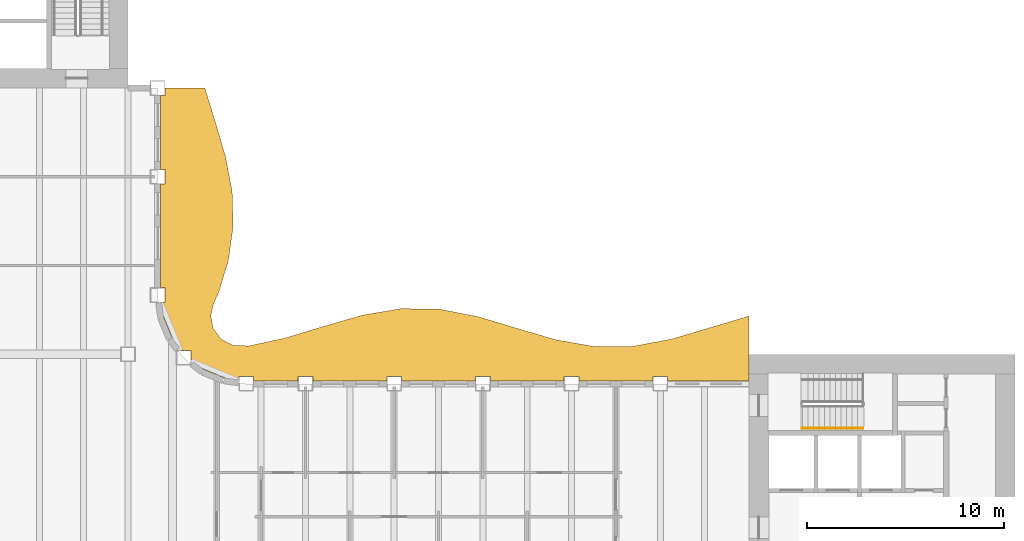
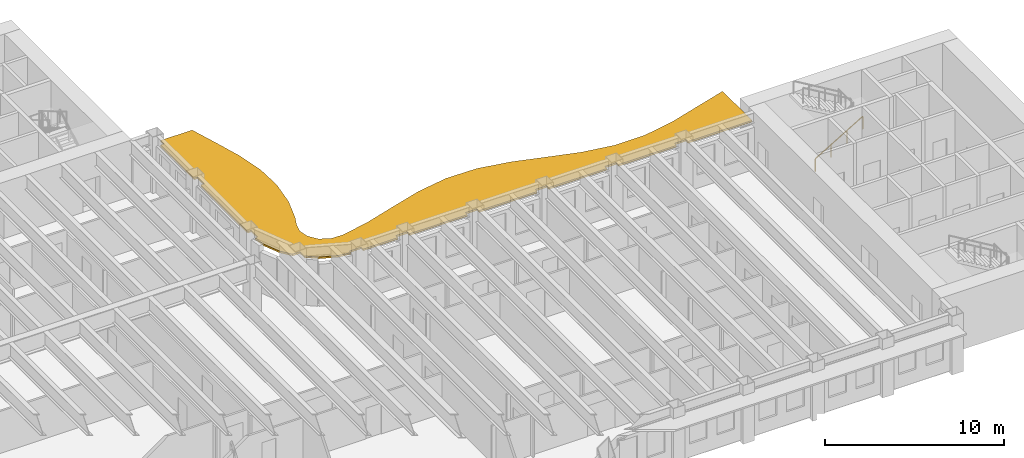
# One storey, part 14 of 16: 1 railing, 1 shading device.
"""IFC4 building model written with IfcOpenShell, lengths in metres."""

import ifcopenshell
import ifcopenshell.guid

model = None  # the IFC model being written
_history = None  # IfcOwnerHistory: only IFC2X3 demands one
_inside = {}  # id of a spatial element -> (the spatial element, [elements in it])
_under = {}  # id of a project, library or spatial element -> (it, [spatial elements below it])
_declared = {}  # id of a project -> (the project, [libraries it declares])
_typed = {}  # id of a type object -> (the type object, [elements of that type])
_made_of = {}  # id of a material, layer set ... -> (it, [elements and type objects made of it])


def new_model(schema):
    """Start an empty IFC model of exactly this schema.

    Asked for "IFC4X3", IfcOpenShell would pick the latest addendum, in which some entities
    have other attributes; the version numbers below select the first issue.
    IFC2X3 requires an IfcOwnerHistory on every rooted entity: one is made here for all.
    """
    global model, _history
    if schema == "IFC4X3":
        model = ifcopenshell.file(schema_version=(4, 3, 0, 0))
    else:
        model = ifcopenshell.file(schema=schema)
    _inside.clear()
    _under.clear()
    _declared.clear()
    _typed.clear()
    _made_of.clear()
    _history = None
    if model.schema == "IFC2X3":
        org = make("IfcOrganization", Name="unknown")
        user = make(
            "IfcPersonAndOrganization",
            ThePerson=make("IfcPerson", FamilyName="unknown"),
            TheOrganization=org,
        )
        app = make(
            "IfcApplication",
            ApplicationDeveloper=org,
            Version="unknown",
            ApplicationFullName="unknown",
            ApplicationIdentifier="unknown",
        )
        _history = make(
            "IfcOwnerHistory",
            OwningUser=user,
            OwningApplication=app,
            ChangeAction="ADDED",
            CreationDate=0,
        )
    return model


def make(cls, **values):
    """One entity of the class cls with the attributes given. An attribute that is None is left unset."""
    return model.create_entity(
        cls, **{name: value for name, value in values.items() if value is not None}
    )


def rooted(cls, **values):
    """An entity with a GlobalId (a new one), such as an element, a storey or a relation."""
    return make(cls, GlobalId=ifcopenshell.guid.new(), OwnerHistory=_history, **values)


def si_unit(unit_type, name, prefix=None):
    """IfcSIUnit, for example si_unit("LENGTHUNIT", "METRE", prefix="MILLI")."""
    return make("IfcSIUnit", UnitType=unit_type, Prefix=prefix, Name=name)


def assignment(units):
    """IfcUnitAssignment: the units of a project."""
    return None if units is None else make("IfcUnitAssignment", Units=units)


def point(xyz):
    """IfcCartesianPoint."""
    return None if xyz is None else make("IfcCartesianPoint", Coordinates=xyz)


def direction(xyz):
    """IfcDirection."""
    return None if xyz is None else make("IfcDirection", DirectionRatios=xyz)


def frame(location, z_axis=None, x_axis=None):
    """IfcAxis2Placement3D, a coordinate frame: its origin and axes. An axis left out is left unset."""
    return make(
        "IfcAxis2Placement3D",
        Location=point(location),
        Axis=direction(z_axis),
        RefDirection=direction(x_axis),
    )


def frame_2d(location, x_axis=None):
    """IfcAxis2Placement2D, a coordinate frame in the plane: its origin and x axis."""
    return make(
        "IfcAxis2Placement2D", Location=point(location), RefDirection=direction(x_axis)
    )


def origin():
    """The frame at (0, 0, 0) with its axes left unset."""
    return frame((0.0, 0.0, 0.0))


def origin_2d():
    """The frame at (0, 0) in the plane with its x axis left unset."""
    return frame_2d((0.0, 0.0))


def place(relative_to, where):
    """IfcLocalPlacement: puts the frame where relative to a parent placement (None: the world)."""
    return make(
        "IfcLocalPlacement", PlacementRelTo=relative_to, RelativePlacement=where
    )


def context(
    kind, dimensions, precision=None, world=None, true_north=None, identifier=None
):
    """IfcGeometricRepresentationContext, for example the 3D "Model" context."""
    return make(
        "IfcGeometricRepresentationContext",
        ContextIdentifier=identifier,
        ContextType=kind,
        CoordinateSpaceDimension=dimensions,
        Precision=precision,
        WorldCoordinateSystem=world,
        TrueNorth=true_north,
    )


def subcontext(parent, identifier, kind, view, scale=None):
    """IfcGeometricRepresentationSubContext, for example "Body" below "Model"."""
    return make(
        "IfcGeometricRepresentationSubContext",
        ContextIdentifier=identifier,
        ContextType=kind,
        ParentContext=parent,
        TargetScale=scale,
        TargetView=view,
    )


def project(units=None, contexts=None):
    """IfcProject with its units and contexts."""
    return rooted(
        "IfcProject",
        Name="project",
        RepresentationContexts=contexts,
        UnitsInContext=assignment(units),
    )


def spatial(cls, under=None, at=None, **own):
    """A site, building, storey or space (cls), placed at a placement, below another one or the project."""
    s = rooted(cls, ObjectPlacement=at, **own)
    if under is not None:
        _under.setdefault(under.id(), (under, []))[1].append(s)
    return s


def polyline(points):
    """IfcPolyline through the points."""
    return make("IfcPolyline", Points=[point(p) for p in points])


def profile(cls, at=None, kind="AREA", **sizes):
    """A parametric profile (cls). Its sizes go by their IFC names, for example OverallWidth=200.0."""
    return make(cls, ProfileType=kind, Position=at, **sizes)


def rectangle(**sizes):
    """IfcRectangleProfileDef."""
    return profile("IfcRectangleProfileDef", **sizes)


def outline(outer, holes=None, kind="AREA"):
    """IfcArbitraryClosedProfileDef: a profile drawn as a closed curve; with holes, ...WithVoids."""
    if holes is None:
        return make("IfcArbitraryClosedProfileDef", ProfileType=kind, OuterCurve=outer)
    return make(
        "IfcArbitraryProfileDefWithVoids",
        ProfileType=kind,
        OuterCurve=outer,
        InnerCurves=holes,
    )


def extrude(swept, where, along, depth):
    """IfcExtrudedAreaSolid: the profile swept, set in the frame where, extruded along a direction by depth."""
    return make(
        "IfcExtrudedAreaSolid",
        SweptArea=swept,
        Position=where,
        ExtrudedDirection=direction(along),
        Depth=depth,
    )


def shape(context_of_items, identifier, shape_type, items):
    """IfcShapeRepresentation: the items that make up one representation, for example the "Body"."""
    return make(
        "IfcShapeRepresentation",
        ContextOfItems=context_of_items,
        RepresentationIdentifier=identifier,
        RepresentationType=shape_type,
        Items=items,
    )


def material(Name=None, Category=None):
    """IfcMaterial."""
    return make("IfcMaterial", Name=Name, Category=Category)


def layer(
    of_material, thickness, ventilated=None, Name=None, Category=None, Priority=None
):
    """IfcMaterialLayer: one layer of a wall or slab, of a material (None: an air gap)."""
    return make(
        "IfcMaterialLayer",
        Material=of_material,
        LayerThickness=thickness,
        IsVentilated=ventilated,
        Name=Name,
        Category=Category,
        Priority=Priority,
    )


def layer_set(layers, Name=None):
    """IfcMaterialLayerSet."""
    return make("IfcMaterialLayerSet", MaterialLayers=layers, LayerSetName=Name)


def made_of(thing, what):
    """Note that an element or type object is made of a material, layer set ...; save() writes the relation."""
    if what is not None:
        _made_of.setdefault(what.id(), (what, []))[1].append(thing)
    return thing


def type_object(cls, material=None, **own):
    """A type object (cls), such as IfcWallType, which elements share."""
    return made_of(rooted(cls, **own), material)


def element(
    cls,
    number,
    at=None,
    inside=None,
    cuts=None,
    type_object=None,
    material=None,
    context=None,
    identifier="Body",
    shape_type=None,
    held_by="IfcProductDefinitionShape",
    body=None,
    shapes=None,
    **own,
):
    """One element of the class cls, such as IfcWall. Its Tag is "e" and its number.

    at: its placement. inside: the storey or other place that contains it. cuts: it is an
    opening in that element (IfcRelVoidsElement). A single representation is given by context,
    identifier, shape_type and body (its items); several are given by shapes. held_by: the class
    of the entity that holds the representations. save() writes the other relations.
    """
    e = rooted(cls, Tag="e%d" % number, ObjectPlacement=at, **own)
    if body is not None:
        shapes = [shape(context, identifier, shape_type, body)]
    if shapes is not None:
        e.Representation = make(held_by, Representations=shapes)
    if inside is not None:
        _inside.setdefault(inside.id(), (inside, []))[1].append(e)
    if cuts is not None:
        rooted(
            "IfcRelVoidsElement", RelatingBuildingElement=cuts, RelatedOpeningElement=e
        )
    if type_object is not None:
        _typed.setdefault(type_object.id(), (type_object, []))[1].append(e)
    return made_of(e, material)


def aggregate(whole, parts):
    """IfcRelAggregates: a whole, such as a stair, and the parts it consists of."""
    return rooted("IfcRelAggregates", RelatingObject=whole, RelatedObjects=parts)


def save(model, path):
    """Write the relations noted so far, then the file.

    IfcRelAggregates (storeys below a building ...), IfcRelContainedInSpatialStructure (elements
    in a storey), IfcRelDefinesByType, IfcRelAssociatesMaterial and IfcRelDeclares: one each for
    every whole, place, type object, material and project.
    """
    for whole, parts in _under.values():
        aggregate(whole, parts)
    for where, things in _inside.values():
        rooted(
            "IfcRelContainedInSpatialStructure",
            RelatedElements=things,
            RelatingStructure=where,
        )
    for kind, things in _typed.values():
        rooted("IfcRelDefinesByType", RelatedObjects=things, RelatingType=kind)
    for what, things in _made_of.values():
        rooted("IfcRelAssociatesMaterial", RelatedObjects=things, RelatingMaterial=what)
    for by, libraries in _declared.values():
        rooted("IfcRelDeclares", RelatingContext=by, RelatedDefinitions=libraries)
    model.write(path)


model = new_model("IFC4")

# Units and contexts
model_context = context("Model", 3, precision=1e-05, world=origin(), true_north=direction((0.0, 1.0)))
body_context = subcontext(model_context, "Body", "Model", "MODEL_VIEW")
ifc_project = project(units=[si_unit("LENGTHUNIT", "METRE"), si_unit("AREAUNIT", "SQUARE_METRE"), si_unit("VOLUMEUNIT", "CUBIC_METRE"), si_unit("PLANEANGLEUNIT", "RADIAN"), si_unit("MASSUNIT", "GRAM", prefix="KILO")], contexts=[model_context])

# Site, building, storey
site_placement = place(None, origin())
site = spatial("IfcSite", under=ifc_project, at=site_placement, CompositionType="ELEMENT")
building_placement = place(site_placement, origin())
building = spatial("IfcBuilding", under=site, at=building_placement, Name="Sennacour Bend Tower", CompositionType="ELEMENT")
storey_placement = place(building_placement, frame((0.0, 0.0, 227.0)))
storey = spatial("IfcBuildingStorey", under=building, at=storey_placement, Name="L52", CompositionType="ELEMENT", Elevation=227.0)

# Railing
ifc_material_1 = material(Name="Stainless steel", Category="steel")
railing_type = type_object("IfcRailingType", Name="RL-HANDRAIL-900", PredefinedType="HANDRAIL", material=ifc_material_1)
railing_placement = place(storey_placement, frame((56.699951171875, 18.75, 0.166748046875)))
element("IfcRailing", 1, at=railing_placement, inside=storey, type_object=railing_type, Name="L52 SA2 stair handrail 1", PredefinedType="HANDRAIL", context=body_context, shape_type="SweptSolid", body=[
    extrude(rectangle(XDim=0.048095703125, YDim=0.048095703125, at=origin_2d()), frame((0.0, 0.0, 0.8759765625), z_axis=(0.859308565015, 0.0, 0.511457515432), x_axis=(0.0, 1.0, 0.0)), (0.0, 0.0, 1.0), 3.58447265625),
    extrude(rectangle(XDim=0.0419921875, YDim=0.0419921875, at=origin_2d()), origin(), (0.0, 0.0, 1.0), 0.851806640625),
    extrude(rectangle(XDim=0.0419921875, YDim=0.0419921875, at=origin_2d()), frame((1.026611328125, 0.0, 0.611083984375)), (0.0, 0.0, 1.0), 0.851806640625),
    extrude(rectangle(XDim=0.0419921875, YDim=0.0419921875, at=origin_2d()), frame((2.053466796875, 0.0, 1.22216796875)), (0.0, 0.0, 1.0), 0.851806640625),
    extrude(rectangle(XDim=0.0419921875, YDim=0.0419921875, at=origin_2d()), frame((3.080078125, 0.0, 1.833251953125)), (0.0, 0.0, 1.0), 0.851806640625),
])

# Shading device
ifc_material_2 = material(Name="Bronze anodised aluminium", Category="aluminium")
ifc_layer = layer(ifc_material_2, 0.1201171875, Name="Bronze anodised aluminium", Category="aluminium")
ifc_layer_set = layer_set([ifc_layer], Name="Bronze anodised aluminium")
shading_device_type = type_object("IfcShadingDeviceType", Name="SUNSHADE BAND WAVE", PredefinedType="USERDEFINED", material=ifc_layer_set)
shading_device_placement = place(storey_placement, frame((0.0, 0.0, 3.037109375)))
element("IfcShadingDevice", 2, at=shading_device_placement, inside=storey, type_object=shading_device_type, Name="Sunshade band L52 concave faces", ObjectType="SUNSHADE", PredefinedType="USERDEFINED", context=body_context, shape_type="SweptSolid", body=[
    extrude(outline(polyline([(54.0, 21.14990234375), (49.875, 21.14990234375), (49.875, 21.375), (49.125, 21.375), (49.125, 21.14990234375), (45.375, 21.14990234375), (45.375, 21.375), (44.625, 21.375), (44.625, 21.14990234375), (40.875, 21.14990234375), (40.875, 21.375), (40.125, 21.375), (40.125, 21.14990234375), (36.375, 21.14990234375), (36.375, 21.375), (35.625, 21.375), (35.625, 21.14990234375), (31.875, 21.14990234375), (31.875, 21.375), (31.125, 21.375), (31.125, 21.14990234375), (28.875, 21.14990234375), (28.875, 21.375), (28.125, 21.375), (28.125, 21.20068359375), (27.37451171875, 21.299560546875), (26.32568359375, 21.73388671875), (25.693115234375, 22.21923828125), (25.693115234375, 22.693115234375), (25.21923828125, 22.693115234375), (24.73388671875, 23.32568359375), (24.299560546875, 24.37451171875), (24.20068359375, 25.125), (24.375, 25.125), (24.375, 25.875), (24.14990234375, 25.875), (24.14990234375, 31.125), (24.375, 31.125), (24.375, 31.875), (24.14990234375, 31.875), (24.14990234375, 35.625), (24.375, 35.625), (24.375, 36.0), (26.400634765625, 36.0), (26.939208984375, 34.25), (27.450927734375, 32.5), (27.781982421875, 30.75), (27.8330078125, 29.0), (27.58837890625, 27.25), (27.1220703125, 25.70458984375), (26.83544921875, 25.053955078125), (26.69677734375, 24.458984375), (26.818359375, 23.818359375), (27.214599609375, 23.2734375), (27.818359375, 22.955810546875), (28.626220703125, 22.92529296875), (30.46142578125, 23.320556640625), (32.423095703125, 23.914306640625), (34.384521484375, 24.484130859375), (36.34619140625, 24.81591796875), (38.3076171875, 24.785400390625), (40.269287109375, 24.404052734375), (42.230712890625, 23.81494140625), (44.1923828125, 23.23876953125), (46.15380859375, 22.89208984375), (48.115478515625, 22.904541015625), (50.076904296875, 23.271728515625), (52.03857421875, 23.85595703125), (54.0, 24.437744140625), (54.0, 21.14990234375)])), origin(), (0.0, 0.0, 1.0), 0.119873046875),
])

save(model, "model.ifc")
